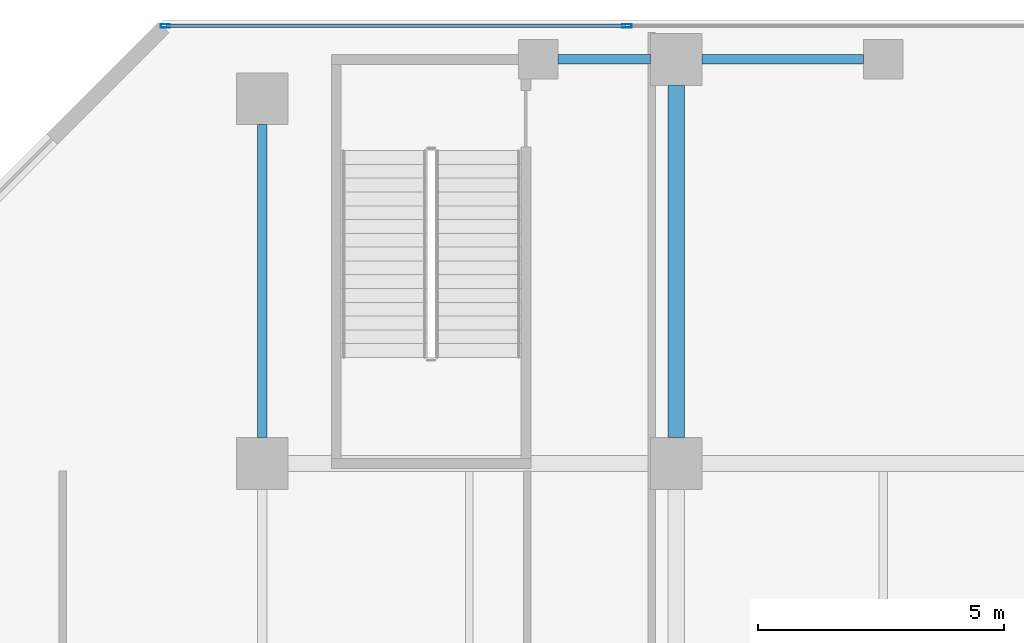
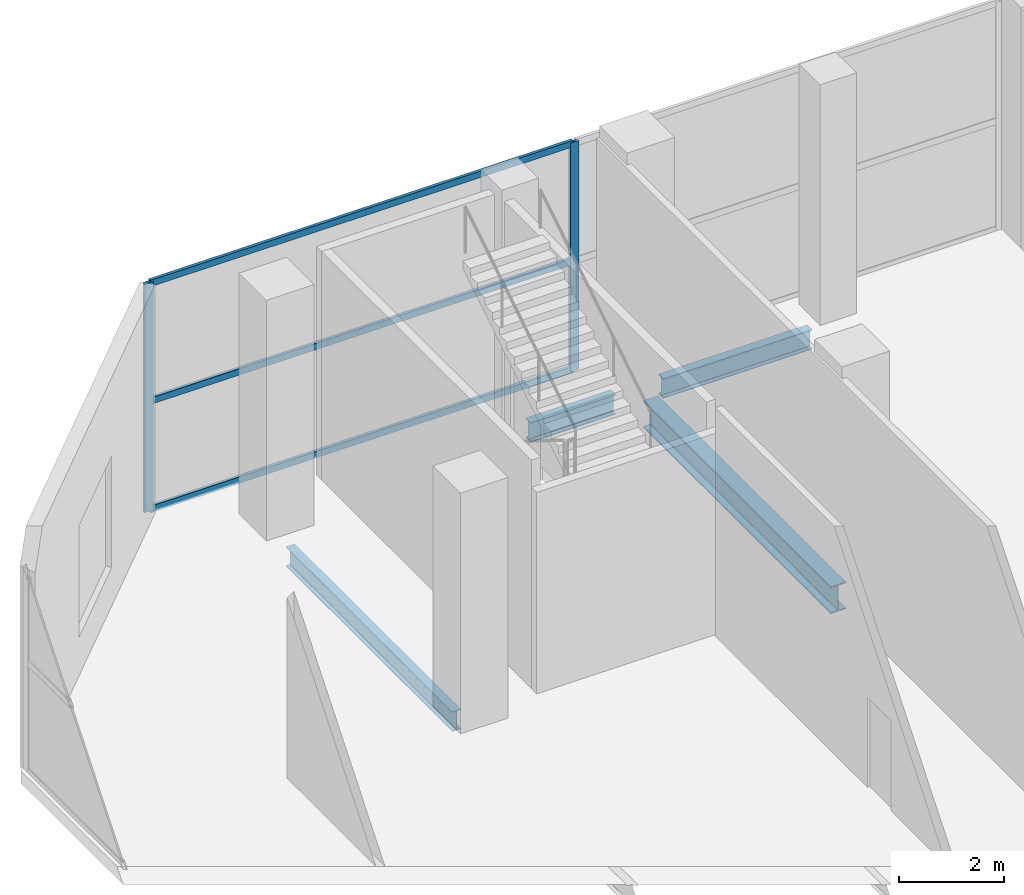
# One storey, part 20 of 40: 5 members, 4 beams, 1 element without a shape of its own.
"""IFC4 building model written with IfcOpenShell, lengths in metres."""

from ifc_helpers import new_model, si_unit, direction, frame, origin, origin_2d, place, context, subcontext, project, spatial, hollow_rectangle, i_section, extrude, material, layer, layer_set, material_profile, profile_set, type_object, element, aggregate, save


model = new_model("IFC4")

# Units and contexts
model_context = context("Model", 3, precision=1e-05, world=origin(), true_north=direction((0.0, 1.0)))
body_context = subcontext(model_context, "Body", "Model", "MODEL_VIEW")
ifc_project = project(units=[si_unit("LENGTHUNIT", "METRE"), si_unit("AREAUNIT", "SQUARE_METRE"), si_unit("VOLUMEUNIT", "CUBIC_METRE"), si_unit("PLANEANGLEUNIT", "RADIAN"), si_unit("MASSUNIT", "GRAM", prefix="KILO")], contexts=[model_context])

# Site, building, storey
site_placement = place(None, origin())
site = spatial("IfcSite", under=ifc_project, at=site_placement, CompositionType="ELEMENT")
building_placement = place(site_placement, origin())
building = spatial("IfcBuilding", under=site, at=building_placement, Name="Maruvema Waterfront Hotel and Observation Tower", CompositionType="ELEMENT")
storey_placement = place(building_placement, frame((0.0, 0.0, 10.85009765625)))
storey = spatial("IfcBuildingStorey", under=building, at=storey_placement, Name="L02", CompositionType="ELEMENT", Elevation=10.85009765625)

# Curtain wall, members
ifc_material_1 = material(Name="Anodised bronze aluminium and solar-control low-E IGU", Category="aluminium")
ifc_layer = layer(ifc_material_1, 0.159912109375, Name="Podium Waterfront Storefront Curtain Wall System CW-01")
ifc_layer_set = layer_set([ifc_layer], Name="Anodised bronze aluminium and solar-control low-E IGU")
curtain_wall_type = type_object("IfcCurtainWallType", Name="Podium Waterfront Storefront Curtain Wall System CW-01", PredefinedType="USERDEFINED", material=ifc_layer_set)
curtain_wall_placement = place(storey_placement, origin())
curtain_wall = element("IfcCurtainWall", 1, at=curtain_wall_placement, inside=storey, type_object=curtain_wall_type, Name="L02 Curtain Wall CW-L02-NW", ObjectType="UNITISED CURTAIN WALL", PredefinedType="USERDEFINED")
ifc_material_2 = material(Name="Anodised architectural bronze aluminium", Category="aluminium")
ifc_material_profile_1 = material_profile(ifc_material_2, hollow_rectangle(XDim=0.070068359375, YDim=0.14990234375, WallThickness=0.00390625, at=origin_2d()), Name="ALU-T70x150")
ifc_profile_set_1 = profile_set([ifc_material_profile_1], Name="Anodised architectural bronze aluminium")
member_type_1 = type_object("IfcMemberType", Name="Curtain Wall Horizontal Transom ALU-T70x150", PredefinedType="USERDEFINED", material=ifc_profile_set_1)
member_1_placement = place(storey_placement, frame((15.77001953125, 53.8798828125, 0.02978515625), z_axis=(-1.0, 0.0, 0.0), x_axis=(0.0, -1.0, 0.0)))
member_1 = element("IfcMember", 2, at=member_1_placement, type_object=member_type_1, Name="CW-01 transom 2.1", ObjectType="TRANSOM", PredefinedType="USERDEFINED", context=body_context, shape_type="SweptSolid", body=[
    extrude(hollow_rectangle(XDim=0.070068359375, YDim=0.14990234375, WallThickness=0.00390625, at=origin_2d()), origin(), (0.0, 0.0, 1.0), 9.31005859375),
])
member_2_placement = place(storey_placement, frame((15.77001953125, 53.8798828125, 2.5498046875), z_axis=(-1.0, 0.0, 0.0), x_axis=(0.0, -1.0, 0.0)))
member_2 = element("IfcMember", 3, at=member_2_placement, type_object=member_type_1, Name="CW-01 transom 2.2", ObjectType="TRANSOM", PredefinedType="USERDEFINED", context=body_context, shape_type="SweptSolid", body=[
    extrude(hollow_rectangle(XDim=0.070068359375, YDim=0.14990234375, WallThickness=0.00390625, at=origin_2d()), origin(), (0.0, 0.0, 1.0), 9.31005859375),
])
member_3_placement = place(storey_placement, frame((15.77001953125, 53.8798828125, 5.289794921875), z_axis=(-1.0, 0.0, 0.0), x_axis=(0.0, -1.0, 0.0)))
member_3 = element("IfcMember", 4, at=member_3_placement, type_object=member_type_1, Name="CW-01 transom 2.3", ObjectType="TRANSOM", PredefinedType="USERDEFINED", context=body_context, shape_type="SweptSolid", body=[
    extrude(hollow_rectangle(XDim=0.070068359375, YDim=0.14990234375, WallThickness=0.00390625, at=origin_2d()), origin(), (0.0, 0.0, 1.0), 9.31005859375),
])

# Beams
ifc_material_3 = material(Name="Steel ASTM A572 Grade 50", Category="steel")
ifc_material_profile_2 = material_profile(ifc_material_3, i_section(OverallWidth=0.18994140625, OverallDepth=0.45703125, WebThickness=0.009033203125, FlangeThickness=0.014404296875, FilletRadius=0.014892578125, at=origin_2d()), Name="W460x74.0")
ifc_profile_set_2 = profile_set([ifc_material_profile_2], Name="Steel ASTM A572 Grade 50")
beam_type_1 = type_object("IfcBeamType", Name="Perimeter Spandrel Beam W460x74.0", PredefinedType="SPANDREL", material=ifc_profile_set_2)
beam_1_placement = place(storey_placement, frame((14.39990234375, 53.199951171875, -0.508544921875), z_axis=(1.0, 0.0, 0.0), x_axis=(0.0, 1.0, 0.0)))
element("IfcBeam", 5, at=beam_1_placement, inside=storey, type_object=beam_type_1, Name="L02 Floor Girder EW-36", PredefinedType="SPANDREL", context=body_context, shape_type="SweptSolid", body=[
    extrude(i_section(OverallWidth=0.18994140625, OverallDepth=0.45703125, WebThickness=0.009033203125, FlangeThickness=0.014404296875, FilletRadius=0.014892578125, at=origin_2d()), origin(), (0.0, 0.0, 1.0), 1.875),
])
beam_2_placement = place(storey_placement, frame((17.324951171875, 53.199951171875, -0.508544921875), z_axis=(1.0, 0.0, 0.0), x_axis=(0.0, 1.0, 0.0)))
element("IfcBeam", 6, at=beam_2_placement, inside=storey, type_object=beam_type_1, Name="L02 Floor Girder EW-37", PredefinedType="SPANDREL", context=body_context, shape_type="SweptSolid", body=[
    extrude(i_section(OverallWidth=0.18994140625, OverallDepth=0.45703125, WebThickness=0.009033203125, FlangeThickness=0.014404296875, FilletRadius=0.014892578125, at=origin_2d()), origin(), (0.0, 0.0, 1.0), 3.275146484375),
])
beam_3_placement = place(storey_placement, frame((8.39990234375, 45.52490234375, -0.508544921875), z_axis=(0.0, 1.0, 0.0), x_axis=(-1.0, 0.0, 0.0)))
element("IfcBeam", 7, at=beam_3_placement, inside=storey, type_object=beam_type_1, Name="L02 Floor Girder NS-06", PredefinedType="SPANDREL", context=body_context, shape_type="SweptSolid", body=[
    extrude(i_section(OverallWidth=0.18994140625, OverallDepth=0.45703125, WebThickness=0.009033203125, FlangeThickness=0.014404296875, FilletRadius=0.014892578125, at=origin_2d()), origin(), (0.0, 0.0, 1.0), 6.35009765625),
])

# Member
ifc_material_4 = material(Name="Anodised architectural bronze aluminium", Category="aluminium")
ifc_material_profile_3 = material_profile(ifc_material_4, hollow_rectangle(XDim=0.070068359375, YDim=0.18994140625, WallThickness=0.00390625, at=origin_2d()), Name="ALU-M70x190")
ifc_profile_set_3 = profile_set([ifc_material_profile_3], Name="Anodised architectural bronze aluminium")
member_type_2 = type_object("IfcMemberType", Name="Podium Storefront Heavy Mullion ALU-M70x190", PredefinedType="MULLION", material=ifc_profile_set_3)
member_4_placement = place(storey_placement, frame((15.800048828125, 53.8798828125, 0.0), z_axis=(0.0, 0.0, 1.0), x_axis=(0.0, -1.0, 0.0)))
member_4 = element("IfcMember", 8, at=member_4_placement, type_object=member_type_2, Name="CW-01 mullion 2", PredefinedType="MULLION", context=body_context, shape_type="SweptSolid", body=[
    extrude(hollow_rectangle(XDim=0.070068359375, YDim=0.18994140625, WallThickness=0.00390625, at=origin_2d()), origin(), (0.0, 0.0, 1.0), 5.31982421875),
])

member_5_placement = place(storey_placement, frame((6.429931640625, 53.8798828125, 0.0), z_axis=(0.0, 0.0, 1.0), x_axis=(0.0, -1.0, 0.0)))
member_5 = element("IfcMember", 9, at=member_5_placement, type_object=member_type_2, Name="CW-01 mullion 3", PredefinedType="MULLION", context=body_context, shape_type="SweptSolid", body=[
    extrude(hollow_rectangle(XDim=0.070068359375, YDim=0.18994140625, WallThickness=0.00390625, at=origin_2d()), origin(), (0.0, 0.0, 1.0), 5.31982421875),
])

aggregate(curtain_wall, [member_4, member_5, member_1, member_2, member_3])

# Beam
ifc_material_5 = material(Name="Steel ASTM A572 Grade 50", Category="steel")
ifc_material_profile_4 = material_profile(ifc_material_5, i_section(OverallWidth=0.3291015625, OverallDepth=0.635009765625, WebThickness=0.017822265625, FlangeThickness=0.031005859375, FilletRadius=0.01806640625, at=origin_2d()), Name="W610x241.0")
ifc_profile_set_4 = profile_set([ifc_material_profile_4], Name="Steel ASTM A572 Grade 50")
beam_type_2 = type_object("IfcBeamType", Name="Primary Floor Girder W610x241.0", PredefinedType="BEAM", material=ifc_profile_set_4)
beam_4_placement = place(storey_placement, frame((16.800048828125, 45.52490234375, -0.59765625), z_axis=(0.0, 1.0, 0.0), x_axis=(-1.0, 0.0, 0.0)))
element("IfcBeam", 10, at=beam_4_placement, inside=storey, type_object=beam_type_2, Name="L02 Floor Girder NS-12", PredefinedType="BEAM", context=body_context, shape_type="SweptSolid", body=[
    extrude(i_section(OverallWidth=0.3291015625, OverallDepth=0.635009765625, WebThickness=0.017822265625, FlangeThickness=0.031005859375, FilletRadius=0.01806640625, at=origin_2d()), origin(), (0.0, 0.0, 1.0), 7.150146484375),
])

save(model, "model.ifc")
